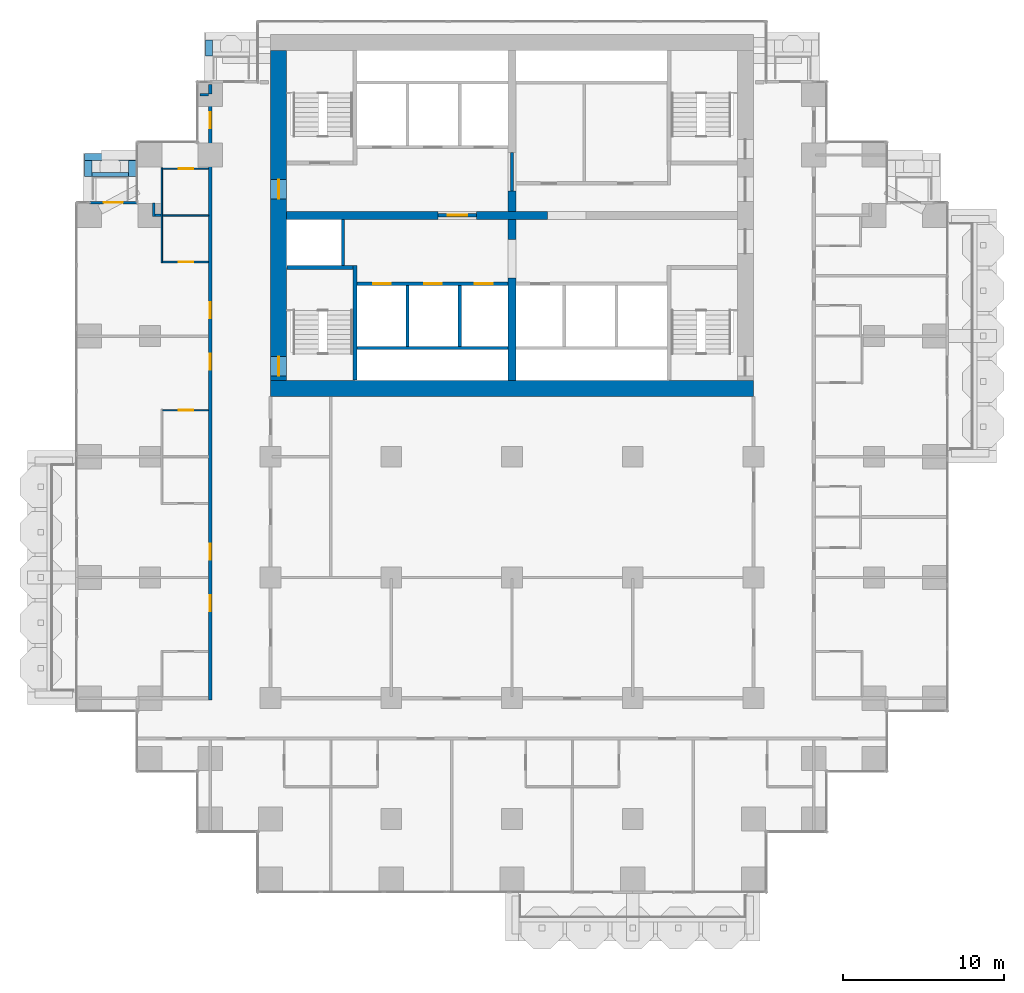
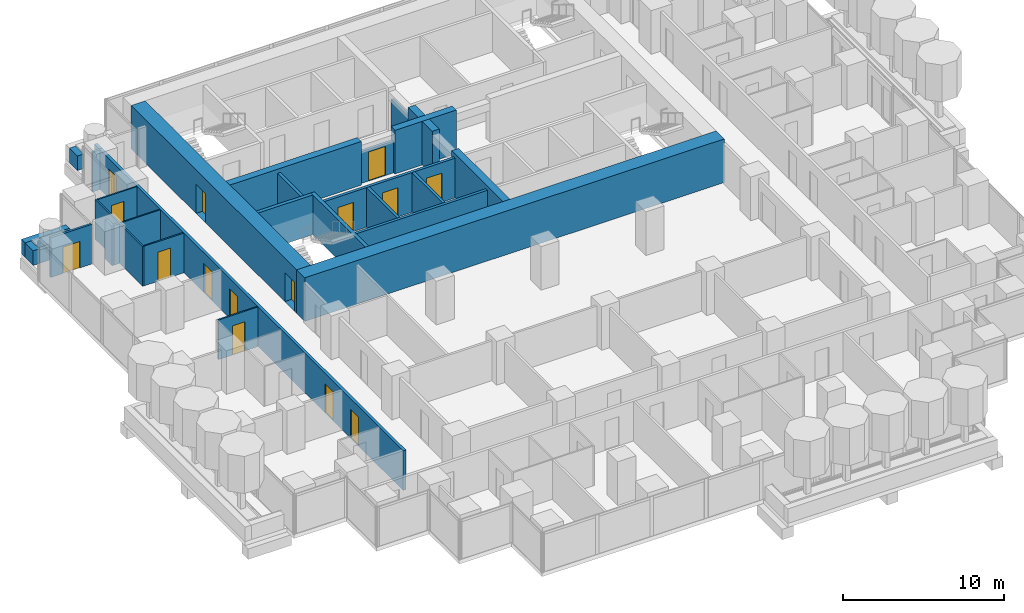
# One storey, part 13 of 19: 32 walls, 15 doors, 15 openings.
"""IFC4 building model written with IfcOpenShell, lengths in metres."""

import ifcopenshell
import ifcopenshell.guid

model = None  # the IFC model being written
_history = None  # IfcOwnerHistory: only IFC2X3 demands one
_inside = {}  # id of a spatial element -> (the spatial element, [elements in it])
_under = {}  # id of a project, library or spatial element -> (it, [spatial elements below it])
_declared = {}  # id of a project -> (the project, [libraries it declares])
_typed = {}  # id of a type object -> (the type object, [elements of that type])
_made_of = {}  # id of a material, layer set ... -> (it, [elements and type objects made of it])


def new_model(schema):
    """Start an empty IFC model of exactly this schema.

    Asked for "IFC4X3", IfcOpenShell would pick the latest addendum, in which some entities
    have other attributes; the version numbers below select the first issue.
    IFC2X3 requires an IfcOwnerHistory on every rooted entity: one is made here for all.
    """
    global model, _history
    if schema == "IFC4X3":
        model = ifcopenshell.file(schema_version=(4, 3, 0, 0))
    else:
        model = ifcopenshell.file(schema=schema)
    _inside.clear()
    _under.clear()
    _declared.clear()
    _typed.clear()
    _made_of.clear()
    _history = None
    if model.schema == "IFC2X3":
        org = make("IfcOrganization", Name="unknown")
        user = make(
            "IfcPersonAndOrganization",
            ThePerson=make("IfcPerson", FamilyName="unknown"),
            TheOrganization=org,
        )
        app = make(
            "IfcApplication",
            ApplicationDeveloper=org,
            Version="unknown",
            ApplicationFullName="unknown",
            ApplicationIdentifier="unknown",
        )
        _history = make(
            "IfcOwnerHistory",
            OwningUser=user,
            OwningApplication=app,
            ChangeAction="ADDED",
            CreationDate=0,
        )
    return model


def make(cls, **values):
    """One entity of the class cls with the attributes given. An attribute that is None is left unset."""
    return model.create_entity(
        cls, **{name: value for name, value in values.items() if value is not None}
    )


def rooted(cls, **values):
    """An entity with a GlobalId (a new one), such as an element, a storey or a relation."""
    return make(cls, GlobalId=ifcopenshell.guid.new(), OwnerHistory=_history, **values)


def si_unit(unit_type, name, prefix=None):
    """IfcSIUnit, for example si_unit("LENGTHUNIT", "METRE", prefix="MILLI")."""
    return make("IfcSIUnit", UnitType=unit_type, Prefix=prefix, Name=name)


def assignment(units):
    """IfcUnitAssignment: the units of a project."""
    return None if units is None else make("IfcUnitAssignment", Units=units)


def point(xyz):
    """IfcCartesianPoint."""
    return None if xyz is None else make("IfcCartesianPoint", Coordinates=xyz)


def direction(xyz):
    """IfcDirection."""
    return None if xyz is None else make("IfcDirection", DirectionRatios=xyz)


def frame(location, z_axis=None, x_axis=None):
    """IfcAxis2Placement3D, a coordinate frame: its origin and axes. An axis left out is left unset."""
    return make(
        "IfcAxis2Placement3D",
        Location=point(location),
        Axis=direction(z_axis),
        RefDirection=direction(x_axis),
    )


def frame_2d(location, x_axis=None):
    """IfcAxis2Placement2D, a coordinate frame in the plane: its origin and x axis."""
    return make(
        "IfcAxis2Placement2D", Location=point(location), RefDirection=direction(x_axis)
    )


def origin():
    """The frame at (0, 0, 0) with its axes left unset."""
    return frame((0.0, 0.0, 0.0))


def place(relative_to, where):
    """IfcLocalPlacement: puts the frame where relative to a parent placement (None: the world)."""
    return make(
        "IfcLocalPlacement", PlacementRelTo=relative_to, RelativePlacement=where
    )


def context(
    kind, dimensions, precision=None, world=None, true_north=None, identifier=None
):
    """IfcGeometricRepresentationContext, for example the 3D "Model" context."""
    return make(
        "IfcGeometricRepresentationContext",
        ContextIdentifier=identifier,
        ContextType=kind,
        CoordinateSpaceDimension=dimensions,
        Precision=precision,
        WorldCoordinateSystem=world,
        TrueNorth=true_north,
    )


def subcontext(parent, identifier, kind, view, scale=None):
    """IfcGeometricRepresentationSubContext, for example "Body" below "Model"."""
    return make(
        "IfcGeometricRepresentationSubContext",
        ContextIdentifier=identifier,
        ContextType=kind,
        ParentContext=parent,
        TargetScale=scale,
        TargetView=view,
    )


def project(units=None, contexts=None):
    """IfcProject with its units and contexts."""
    return rooted(
        "IfcProject",
        Name="project",
        RepresentationContexts=contexts,
        UnitsInContext=assignment(units),
    )


def spatial(cls, under=None, at=None, **own):
    """A site, building, storey or space (cls), placed at a placement, below another one or the project."""
    s = rooted(cls, ObjectPlacement=at, **own)
    if under is not None:
        _under.setdefault(under.id(), (under, []))[1].append(s)
    return s


def profile(cls, at=None, kind="AREA", **sizes):
    """A parametric profile (cls). Its sizes go by their IFC names, for example OverallWidth=200.0."""
    return make(cls, ProfileType=kind, Position=at, **sizes)


def rectangle(**sizes):
    """IfcRectangleProfileDef."""
    return profile("IfcRectangleProfileDef", **sizes)


def extrude(swept, where, along, depth):
    """IfcExtrudedAreaSolid: the profile swept, set in the frame where, extruded along a direction by depth."""
    return make(
        "IfcExtrudedAreaSolid",
        SweptArea=swept,
        Position=where,
        ExtrudedDirection=direction(along),
        Depth=depth,
    )


def shape(context_of_items, identifier, shape_type, items):
    """IfcShapeRepresentation: the items that make up one representation, for example the "Body"."""
    return make(
        "IfcShapeRepresentation",
        ContextOfItems=context_of_items,
        RepresentationIdentifier=identifier,
        RepresentationType=shape_type,
        Items=items,
    )


def material(Name=None, Category=None):
    """IfcMaterial."""
    return make("IfcMaterial", Name=Name, Category=Category)


def layer(
    of_material, thickness, ventilated=None, Name=None, Category=None, Priority=None
):
    """IfcMaterialLayer: one layer of a wall or slab, of a material (None: an air gap)."""
    return make(
        "IfcMaterialLayer",
        Material=of_material,
        LayerThickness=thickness,
        IsVentilated=ventilated,
        Name=Name,
        Category=Category,
        Priority=Priority,
    )


def layer_set(layers, Name=None):
    """IfcMaterialLayerSet."""
    return make("IfcMaterialLayerSet", MaterialLayers=layers, LayerSetName=Name)


def made_of(thing, what):
    """Note that an element or type object is made of a material, layer set ...; save() writes the relation."""
    if what is not None:
        _made_of.setdefault(what.id(), (what, []))[1].append(thing)
    return thing


def type_object(cls, material=None, **own):
    """A type object (cls), such as IfcWallType, which elements share."""
    return made_of(rooted(cls, **own), material)


def element(
    cls,
    number,
    at=None,
    inside=None,
    cuts=None,
    type_object=None,
    material=None,
    context=None,
    identifier="Body",
    shape_type=None,
    held_by="IfcProductDefinitionShape",
    body=None,
    shapes=None,
    **own,
):
    """One element of the class cls, such as IfcWall. Its Tag is "e" and its number.

    at: its placement. inside: the storey or other place that contains it. cuts: it is an
    opening in that element (IfcRelVoidsElement). A single representation is given by context,
    identifier, shape_type and body (its items); several are given by shapes. held_by: the class
    of the entity that holds the representations. save() writes the other relations.
    """
    e = rooted(cls, Tag="e%d" % number, ObjectPlacement=at, **own)
    if body is not None:
        shapes = [shape(context, identifier, shape_type, body)]
    if shapes is not None:
        e.Representation = make(held_by, Representations=shapes)
    if inside is not None:
        _inside.setdefault(inside.id(), (inside, []))[1].append(e)
    if cuts is not None:
        rooted(
            "IfcRelVoidsElement", RelatingBuildingElement=cuts, RelatedOpeningElement=e
        )
    if type_object is not None:
        _typed.setdefault(type_object.id(), (type_object, []))[1].append(e)
    return made_of(e, material)


def fill(opening, filler):
    """IfcRelFillsElement: the door or window that sits in an opening."""
    return rooted(
        "IfcRelFillsElement",
        RelatingOpeningElement=opening,
        RelatedBuildingElement=filler,
    )


def aggregate(whole, parts):
    """IfcRelAggregates: a whole, such as a stair, and the parts it consists of."""
    return rooted("IfcRelAggregates", RelatingObject=whole, RelatedObjects=parts)


def save(model, path):
    """Write the relations noted so far, then the file.

    IfcRelAggregates (storeys below a building ...), IfcRelContainedInSpatialStructure (elements
    in a storey), IfcRelDefinesByType, IfcRelAssociatesMaterial and IfcRelDeclares: one each for
    every whole, place, type object, material and project.
    """
    for whole, parts in _under.values():
        aggregate(whole, parts)
    for where, things in _inside.values():
        rooted(
            "IfcRelContainedInSpatialStructure",
            RelatedElements=things,
            RelatingStructure=where,
        )
    for kind, things in _typed.values():
        rooted("IfcRelDefinesByType", RelatedObjects=things, RelatingType=kind)
    for what, things in _made_of.values():
        rooted("IfcRelAssociatesMaterial", RelatedObjects=things, RelatingMaterial=what)
    for by, libraries in _declared.values():
        rooted("IfcRelDeclares", RelatingContext=by, RelatedDefinitions=libraries)
    model.write(path)


model = new_model("IFC4")

# Units and contexts
model_context = context("Model", 3, precision=1e-05, world=origin(), true_north=direction((0.0, 1.0)))
body_context = subcontext(model_context, "Body", "Model", "MODEL_VIEW")
ifc_project = project(units=[si_unit("LENGTHUNIT", "METRE"), si_unit("AREAUNIT", "SQUARE_METRE"), si_unit("VOLUMEUNIT", "CUBIC_METRE"), si_unit("PLANEANGLEUNIT", "RADIAN"), si_unit("MASSUNIT", "GRAM", prefix="KILO")], contexts=[model_context])

# Site, building, storey
site_placement = place(None, origin())
site = spatial("IfcSite", under=ifc_project, at=site_placement, CompositionType="ELEMENT")
building_placement = place(site_placement, origin())
building = spatial("IfcBuilding", under=site, at=building_placement, Name="Pilkhan Gate Tower", CompositionType="ELEMENT")
storey_placement = place(building_placement, frame((0.0, 0.0, 79.10009765625)))
storey = spatial("IfcBuildingStorey", under=building, at=storey_placement, Name="L18", CompositionType="ELEMENT", Elevation=79.10009765625)

# Walls
ifc_material_1 = material(Name="Concrete C40/50", Category="concrete")
ifc_layer_1 = layer(ifc_material_1, 0.25)
ifc_layer_set_1 = layer_set([ifc_layer_1], Name="Balcony planter BP250")
wall_type_1 = type_object("IfcWallType", Name="Balcony planter BP250", PredefinedType="USERDEFINED", material=ifc_layer_set_1)
wall_1_placement = place(storey_placement, frame((48.89990234375, 85.02490234375, 0.0), z_axis=(0.0, 0.0, 1.0), x_axis=(1.0, 0.0, 0.0)))
element("IfcWall", 1, at=wall_1_placement, inside=storey, type_object=wall_type_1, Name="Balcony planter L18 N", ObjectType="BALCONY PLANTER", PredefinedType="USERDEFINED", context=body_context, shape_type="SweptSolid", body=[
    extrude(rectangle(XDim=2.280029296875, YDim=0.25, at=frame_2d((1.14013671875, 0.0))), origin(), (0.0, 0.0, 1.0), 1.0),
])
ifc_material_2 = material(Name="Board-marked Concrete C40/50", Category="concrete")
ifc_layer_2 = layer(ifc_material_2, 0.449951171875)
ifc_layer_set_2 = layer_set([ifc_layer_2], Name="Balcony planter lip BL450")
wall_type_2 = type_object("IfcWallType", Name="Balcony planter lip BL450", PredefinedType="USERDEFINED", material=ifc_layer_set_2)
wall_2_placement = place(storey_placement, frame((56.175048828125, 92.39990234375, 0.0), z_axis=(0.0, 0.0, 1.0), x_axis=(0.0, 1.0, 0.0)))
element("IfcWall", 2, at=wall_2_placement, inside=storey, type_object=wall_type_2, Name="Balcony planter L18 N", ObjectType="BALCONY PLANTER", PredefinedType="USERDEFINED", context=body_context, shape_type="SweptSolid", body=[
    extrude(rectangle(XDim=1.0, YDim=0.449951171875, at=frame_2d((0.5, 0.0))), origin(), (0.0, 0.0, 1.0), 1.099853515625),
])
wall_3_placement = place(storey_placement, frame((48.449951171875, 86.125, 0.0), z_axis=(0.0, 0.0, 1.0), x_axis=(1.0, 0.0, 0.0)))
element("IfcWall", 3, at=wall_3_placement, inside=storey, type_object=wall_type_2, Name="Balcony planter L18 N", ObjectType="BALCONY PLANTER", PredefinedType="USERDEFINED", context=body_context, shape_type="SweptSolid", body=[
    extrude(rectangle(XDim=3.179931640625, YDim=0.449951171875, at=frame_2d((1.58984375, 0.0))), origin(), (0.0, 0.0, 1.0), 1.099853515625),
])
for number, where, z_axis, x_axis, name in (
    (4, (48.675048828125, 84.89990234375, 0.0), (0.0, 0.0, 1.0), (0.0, 1.0, 0.0), "Balcony planter L18 N"),
    (5, (51.405029296875, 84.89990234375, 0.0), (0.0, 0.0, 1.0), (0.0, 1.0, 0.0), "Balcony planter L18 N"),
):
    element("IfcWall", number, at=place(storey_placement, frame(where, z_axis=z_axis, x_axis=x_axis)), inside=storey, type_object=wall_type_2, Name=name, ObjectType="BALCONY PLANTER", PredefinedType="USERDEFINED", context=body_context, shape_type="SweptSolid", body=[
        extrude(rectangle(XDim=1.0, YDim=0.449951171875, at=frame_2d((0.5, 0.0))), origin(), (0.0, 0.0, 1.0), 1.099853515625),
    ])
ifc_material_3 = material(Name="Concrete C70/85", Category="concrete")
ifc_layer_3 = layer(ifc_material_3, 1.0)
ifc_layer_set_3 = layer_set([ifc_layer_3], Name="Core wall CW1000 C70/85")
wall_type_3 = type_object("IfcWallType", Name="Core wall CW1000 C70/85", PredefinedType="SHEAR", material=ifc_layer_set_3)
wall_4_placement = place(storey_placement, frame((60.0, 71.75, 0.0), z_axis=(0.0, 0.0, 1.0), x_axis=(1.0, 0.0, 0.0)))
element("IfcWall", 6, at=wall_4_placement, inside=storey, type_object=wall_type_3, Name="Core wall S L18", PredefinedType="SHEAR", context=body_context, shape_type="SweptSolid", body=[
    extrude(rectangle(XDim=30.0, YDim=1.0, at=frame_2d((15.0, 0.0))), origin(), (0.0, 0.0, 1.0), 3.2998046875),
])

# Wall, openings, doors
wall_5_placement = place(storey_placement, frame((60.5, 92.75, 0.0), z_axis=(0.0, 0.0, 1.0), x_axis=(0.0, -1.0, 0.0)))
wall_5 = element("IfcWall", 7, at=wall_5_placement, inside=storey, type_object=wall_type_3, Name="Core wall W L18", PredefinedType="SHEAR", context=body_context, shape_type="SweptSolid", body=[
    extrude(rectangle(XDim=20.5, YDim=1.0, at=frame_2d((10.25, 0.0))), origin(), (0.0, 0.0, 1.0), 3.2998046875),
])
opening_1_placement = place(wall_5_placement, frame((19.02490234375, 0.0, 0.0)))
opening_1 = element("IfcOpeningElement", 8, at=opening_1_placement, cuts=wall_5, Name="Opening L18-04", PredefinedType="OPENING", context=body_context, shape_type="SweptSolid", body=[
    extrude(rectangle(XDim=1.199951171875, YDim=2.199951171875, at=frame_2d((0.60009765625, 1.10009765625))), frame((0.0, 0.510009765625, 0.0), z_axis=(0.0, -1.0, 0.0), x_axis=(1.0, 0.0, 0.0)), (0.0, 0.0, 1.0), 1.02001953125),
])
opening_2_placement = place(wall_5_placement, frame((8.02490234375, 0.0, 0.0)))
opening_2 = element("IfcOpeningElement", 9, at=opening_2_placement, cuts=wall_5, Name="Opening L18-39", PredefinedType="OPENING", context=body_context, shape_type="SweptSolid", body=[
    extrude(rectangle(XDim=1.199951171875, YDim=2.199951171875, at=frame_2d((0.60009765625, 1.10009765625))), frame((0.0, 0.510009765625, 0.0), z_axis=(0.0, -1.0, 0.0), x_axis=(1.0, 0.0, 0.0)), (0.0, 0.0, 1.0), 1.02001953125),
])
ifc_material_4 = material(Name="Steel door, 120 minute fire resisting, self-closing", Category="steel")
door_type_1 = type_object("IfcDoorType", Name="Firefighting lobby door D10 1200x2200", OperationType="SINGLE_SWING_LEFT", PredefinedType="DOOR", material=ifc_material_4)
door_1_placement = place(opening_2_placement, origin())
door_1 = element("IfcDoor", 10, at=door_1_placement, inside=storey, type_object=door_type_1, Name="Core door", OperationType="SINGLE_SWING_RIGHT", OverallHeight=2.199951171875, OverallWidth=1.199951171875, PredefinedType="DOOR", context=body_context, shape_type="SweptSolid", body=[
    extrude(rectangle(XDim=1.199951171875, YDim=2.199951171875, at=frame_2d((0.60009765625, 1.10009765625))), frame((0.0, 0.02490234375, 0.0), z_axis=(0.0, -1.0, 0.0), x_axis=(1.0, 0.0, 0.0)), (0.0, 0.0, 1.0), 0.050048828125),
])
fill(opening_2, door_1)
ifc_material_5 = material(Name="Steel door, 120 minute fire resisting, panic bar", Category="steel")
door_type_2 = type_object("IfcDoorType", Name="Stair door D11 1200x2200", OperationType="SINGLE_SWING_LEFT", PredefinedType="DOOR", material=ifc_material_5)
door_2_placement = place(opening_1_placement, origin())
door_2 = element("IfcDoor", 11, at=door_2_placement, inside=storey, type_object=door_type_2, Name="Stair ST2 door", OperationType="SINGLE_SWING_RIGHT", OverallHeight=2.199951171875, OverallWidth=1.199951171875, PredefinedType="DOOR", context=body_context, shape_type="SweptSolid", body=[
    extrude(rectangle(XDim=1.199951171875, YDim=2.199951171875, at=frame_2d((0.60009765625, 1.10009765625))), frame((0.0, 0.02490234375, 0.0), z_axis=(0.0, -1.0, 0.0), x_axis=(1.0, 0.0, 0.0)), (0.0, 0.0, 1.0), 0.050048828125),
])
fill(opening_1, door_2)

ifc_material_6 = material(Name="Dense blockwork", Category="masonry")
ifc_layer_4 = layer(ifc_material_6, 0.199951171875)
ifc_layer_set_4 = layer_set([ifc_layer_4], Name="Corridor wall FW200")
wall_type_4 = type_object("IfcWallType", Name="Corridor wall FW200", PredefinedType="PARTITIONING", material=ifc_layer_set_4)
wall_6_placement = place(storey_placement, frame((56.25, 52.39990234375, 0.0), z_axis=(0.0, 0.0, 1.0), x_axis=(0.0, 1.0, 0.0)))
wall_6 = element("IfcWall", 12, at=wall_6_placement, inside=storey, type_object=wall_type_4, Name="Partition L18", PredefinedType="PARTITIONING", context=body_context, shape_type="SweptSolid", body=[
    extrude(rectangle(XDim=37.675048828125, YDim=0.199951171875, at=frame_2d((18.83740234375, 0.0))), origin(), (0.0, 0.0, 1.0), 3.0),
])
opening_3_placement = place(wall_6_placement, frame((5.5, 0.0, 0.0)))
opening_3 = element("IfcOpeningElement", 13, at=opening_3_placement, cuts=wall_6, Name="Opening L18-16", PredefinedType="OPENING", context=body_context, shape_type="SweptSolid", body=[
    extrude(rectangle(XDim=1.0, YDim=2.199951171875, at=frame_2d((0.5, 1.10009765625))), frame((0.0, 0.10986328125, 0.0), z_axis=(0.0, -1.0, 0.0), x_axis=(1.0, 0.0, 0.0)), (0.0, 0.0, 1.0), 0.219970703125),
])
opening_4_placement = place(wall_6_placement, frame((8.699951171875, 0.0, 0.0)))
opening_4 = element("IfcOpeningElement", 14, at=opening_4_placement, cuts=wall_6, Name="Opening L18-18", PredefinedType="OPENING", context=body_context, shape_type="SweptSolid", body=[
    extrude(rectangle(XDim=1.0, YDim=2.199951171875, at=frame_2d((0.5, 1.10009765625))), frame((0.0, 0.10986328125, 0.0), z_axis=(0.0, -1.0, 0.0), x_axis=(1.0, 0.0, 0.0)), (0.0, 0.0, 1.0), 0.219970703125),
])
opening_5_placement = place(wall_6_placement, frame((20.5, 0.0, 0.0)))
opening_5 = element("IfcOpeningElement", 15, at=opening_5_placement, cuts=wall_6, Name="Opening L18-20", PredefinedType="OPENING", context=body_context, shape_type="SweptSolid", body=[
    extrude(rectangle(XDim=1.0, YDim=2.199951171875, at=frame_2d((0.5, 1.10009765625))), frame((0.0, 0.10986328125, 0.0), z_axis=(0.0, -1.0, 0.0), x_axis=(1.0, 0.0, 0.0)), (0.0, 0.0, 1.0), 0.219970703125),
])
opening_6_placement = place(wall_6_placement, frame((23.699951171875, 0.0, 0.0)))
opening_6 = element("IfcOpeningElement", 16, at=opening_6_placement, cuts=wall_6, Name="Opening L18-22", PredefinedType="OPENING", context=body_context, shape_type="SweptSolid", body=[
    extrude(rectangle(XDim=1.0, YDim=2.199951171875, at=frame_2d((0.5, 1.10009765625))), frame((0.0, 0.10986328125, 0.0), z_axis=(0.0, -1.0, 0.0), x_axis=(1.0, 0.0, 0.0)), (0.0, 0.0, 1.0), 0.219970703125),
])
opening_7_placement = place(wall_6_placement, frame((35.5, 0.0, 0.0)))
opening_7 = element("IfcOpeningElement", 17, at=opening_7_placement, cuts=wall_6, Name="Opening L18-24", PredefinedType="OPENING", context=body_context, shape_type="SweptSolid", body=[
    extrude(rectangle(XDim=1.0, YDim=2.199951171875, at=frame_2d((0.5, 1.10009765625))), frame((0.0, 0.10986328125, 0.0), z_axis=(0.0, -1.0, 0.0), x_axis=(1.0, 0.0, 0.0)), (0.0, 0.0, 1.0), 0.219970703125),
])
ifc_material_7 = material(Name="Timber flush door, 30 minute fire resisting", Category="wood")
door_type_3 = type_object("IfcDoorType", Name="Guest room door D01 1000x2200", OperationType="SINGLE_SWING_LEFT", PredefinedType="DOOR", material=ifc_material_7)
door_3_placement = place(opening_3_placement, origin())
door_3 = element("IfcDoor", 18, at=door_3_placement, inside=storey, type_object=door_type_3, Name="Guest room door", OperationType="SINGLE_SWING_RIGHT", OverallHeight=2.199951171875, OverallWidth=1.0, PredefinedType="DOOR", context=body_context, shape_type="SweptSolid", body=[
    extrude(rectangle(XDim=1.0, YDim=2.199951171875, at=frame_2d((0.5, 1.10009765625))), frame((0.0, 0.02490234375, 0.0), z_axis=(0.0, -1.0, 0.0), x_axis=(1.0, 0.0, 0.0)), (0.0, 0.0, 1.0), 0.050048828125),
])
fill(opening_3, door_3)
door_4_placement = place(opening_4_placement, origin())
door_4 = element("IfcDoor", 19, at=door_4_placement, inside=storey, type_object=door_type_3, Name="Guest room door", OperationType="SINGLE_SWING_LEFT", OverallHeight=2.199951171875, OverallWidth=1.0, PredefinedType="DOOR", context=body_context, shape_type="SweptSolid", body=[
    extrude(rectangle(XDim=1.0, YDim=2.199951171875, at=frame_2d((0.5, 1.10009765625))), frame((0.0, 0.02490234375, 0.0), z_axis=(0.0, -1.0, 0.0), x_axis=(1.0, 0.0, 0.0)), (0.0, 0.0, 1.0), 0.050048828125),
])
fill(opening_4, door_4)
door_5_placement = place(opening_5_placement, origin())
door_5 = element("IfcDoor", 20, at=door_5_placement, inside=storey, type_object=door_type_3, Name="Guest room door", OperationType="SINGLE_SWING_RIGHT", OverallHeight=2.199951171875, OverallWidth=1.0, PredefinedType="DOOR", context=body_context, shape_type="SweptSolid", body=[
    extrude(rectangle(XDim=1.0, YDim=2.199951171875, at=frame_2d((0.5, 1.10009765625))), frame((0.0, 0.02490234375, 0.0), z_axis=(0.0, -1.0, 0.0), x_axis=(1.0, 0.0, 0.0)), (0.0, 0.0, 1.0), 0.050048828125),
])
fill(opening_5, door_5)
door_6_placement = place(opening_6_placement, origin())
door_6 = element("IfcDoor", 21, at=door_6_placement, inside=storey, type_object=door_type_3, Name="Guest room door", OperationType="SINGLE_SWING_LEFT", OverallHeight=2.199951171875, OverallWidth=1.0, PredefinedType="DOOR", context=body_context, shape_type="SweptSolid", body=[
    extrude(rectangle(XDim=1.0, YDim=2.199951171875, at=frame_2d((0.5, 1.10009765625))), frame((0.0, 0.02490234375, 0.0), z_axis=(0.0, -1.0, 0.0), x_axis=(1.0, 0.0, 0.0)), (0.0, 0.0, 1.0), 0.050048828125),
])
fill(opening_6, door_6)
door_7_placement = place(opening_7_placement, origin())
door_7 = element("IfcDoor", 22, at=door_7_placement, inside=storey, type_object=door_type_3, Name="Guest room door", OperationType="SINGLE_SWING_LEFT", OverallHeight=2.199951171875, OverallWidth=1.0, PredefinedType="DOOR", context=body_context, shape_type="SweptSolid", body=[
    extrude(rectangle(XDim=1.0, YDim=2.199951171875, at=frame_2d((0.5, 1.10009765625))), frame((0.0, 0.02490234375, 0.0), z_axis=(0.0, -1.0, 0.0), x_axis=(1.0, 0.0, 0.0)), (0.0, 0.0, 1.0), 0.050048828125),
])
fill(opening_7, door_7)

# Wall
wall_7_placement = place(storey_placement, frame((56.25, 90.030029296875, 0.0), z_axis=(0.0, 0.0, 1.0), x_axis=(0.0, 1.0, 0.0)))
element("IfcWall", 23, at=wall_7_placement, inside=storey, type_object=wall_type_4, Name="Partition L18", PredefinedType="PARTITIONING", context=body_context, shape_type="SweptSolid", body=[
    extrude(rectangle(XDim=0.614990234375, YDim=0.199951171875, at=frame_2d((0.3076171875, 0.0))), origin(), (0.0, 0.0, 1.0), 3.0),
])

# Wall, opening, door
ifc_material_8 = material(Name="Pale anodised aluminium, clear laminated glazing", Category="aluminium")
ifc_layer_5 = layer(ifc_material_8, 0.14990234375)
ifc_layer_set_5 = layer_set([ifc_layer_5], Name="Facade infill wall IW150")
wall_type_5 = type_object("IfcWallType", Name="Facade infill wall IW150", PredefinedType="SOLIDWALL", material=ifc_layer_set_5)
wall_8_placement = place(storey_placement, frame((48.75, 83.294921875, 0.0), z_axis=(0.0, 0.0, 1.0), x_axis=(1.0, 0.0, 0.0)))
wall_8 = element("IfcWall", 24, at=wall_8_placement, inside=storey, type_object=wall_type_5, Name="Infill wall L18 N", PredefinedType="SOLIDWALL", context=body_context, shape_type="SweptSolid", body=[
    extrude(rectangle(XDim=2.955078125, YDim=0.14990234375, at=frame_2d((1.4775390625, 0.0))), origin(), (0.0, 0.0, 1.0), 3.0),
])
opening_8_placement = place(wall_8_placement, frame((0.87744140625, 0.0, 0.0)))
opening_8 = element("IfcOpeningElement", 25, at=opening_8_placement, cuts=wall_8, Name="Opening D1L", PredefinedType="OPENING", context=body_context, shape_type="SweptSolid", body=[
    extrude(rectangle(XDim=1.199951171875, YDim=2.0, at=frame_2d((0.60009765625, 1.0))), frame((0.0, 0.0849609375, 0.0), z_axis=(0.0, -1.0, 0.0), x_axis=(1.0, 0.0, 0.0)), (0.0, 0.0, 1.0), 0.169921875),
])
ifc_material_9 = material(Name="Pale anodised aluminium, clear glazing", Category="aluminium")
door_type_4 = type_object("IfcDoorType", Name="Balcony door D1L 1200x2000", OperationType="SINGLE_SWING_LEFT", PredefinedType="DOOR", material=ifc_material_9)
door_8_placement = place(opening_8_placement, origin())
door_8 = element("IfcDoor", 26, at=door_8_placement, inside=storey, type_object=door_type_4, Name="Balcony door L18", OperationType="SINGLE_SWING_LEFT", OverallHeight=2.0, OverallWidth=1.199951171875, PredefinedType="DOOR", context=body_context, shape_type="SweptSolid", body=[
    extrude(rectangle(XDim=1.199951171875, YDim=2.0, at=frame_2d((0.60009765625, 1.0))), frame((0.0, 0.02490234375, 0.0), z_axis=(0.0, -1.0, 0.0), x_axis=(1.0, 0.0, 0.0)), (0.0, 0.0, 1.0), 0.050048828125),
])
fill(opening_8, door_8)

ifc_layer_6 = layer(ifc_material_6, 0.199951171875)
ifc_layer_set_6 = layer_set([ifc_layer_6], Name="Lobby wall LW200")
wall_type_6 = type_object("IfcWallType", Name="Lobby wall LW200", PredefinedType="PARTITIONING", material=ifc_layer_set_6)
wall_9_placement = place(storey_placement, frame((70.409912109375, 82.5, 0.0), z_axis=(0.0, 0.0, 1.0), x_axis=(1.0, 0.0, 0.0)))
wall_9 = element("IfcWall", 27, at=wall_9_placement, inside=storey, type_object=wall_type_6, Name="Partition L18", PredefinedType="PARTITIONING", context=body_context, shape_type="SweptSolid", body=[
    extrude(rectangle(XDim=2.380126953125, YDim=0.199951171875, at=frame_2d((1.18994140625, 0.0))), origin(), (0.0, 0.0, 1.0), 2.39990234375),
])
opening_9_placement = place(wall_9_placement, frame((0.60009765625, 0.0, 0.0)))
opening_9 = element("IfcOpeningElement", 28, at=opening_9_placement, cuts=wall_9, Name="Opening L18-01", PredefinedType="OPENING", context=body_context, shape_type="SweptSolid", body=[
    extrude(rectangle(XDim=1.199951171875, YDim=2.199951171875, at=frame_2d((0.60009765625, 1.10009765625))), frame((0.0, 0.10986328125, 0.0), z_axis=(0.0, -1.0, 0.0), x_axis=(1.0, 0.0, 0.0)), (0.0, 0.0, 1.0), 0.219970703125),
])
door_9_placement = place(opening_9_placement, origin())
door_9 = element("IfcDoor", 29, at=door_9_placement, inside=storey, type_object=door_type_1, Name="Firefighting lobby door", OperationType="SINGLE_SWING_RIGHT", OverallHeight=2.199951171875, OverallWidth=1.199951171875, PredefinedType="DOOR", context=body_context, shape_type="SweptSolid", body=[
    extrude(rectangle(XDim=1.199951171875, YDim=2.199951171875, at=frame_2d((0.60009765625, 1.10009765625))), frame((0.0, 0.02490234375, 0.0), z_axis=(0.0, -1.0, 0.0), x_axis=(1.0, 0.0, 0.0)), (0.0, 0.0, 1.0), 0.050048828125),
])
fill(opening_9, door_9)

# Walls
wall_10_placement = place(storey_placement, frame((75.0, 84.010009765625, 0.0), z_axis=(0.0, 0.0, 1.0), x_axis=(0.0, 1.0, 0.0)))
element("IfcWall", 30, at=wall_10_placement, inside=storey, type_object=wall_type_6, Name="Partition L18", PredefinedType="PARTITIONING", context=body_context, shape_type="SweptSolid", body=[
    extrude(rectangle(XDim=2.3798828125, YDim=0.199951171875, at=frame_2d((1.18994140625, 0.0))), origin(), (0.0, 0.0, 1.0), 2.39990234375),
])
ifc_material_10 = material(Name="Blockwork partition, plastered both sides", Category="masonry")
ifc_layer_7 = layer(ifc_material_10, 0.14990234375)
ifc_layer_set_7 = layer_set([ifc_layer_7], Name="Partition PW150")
wall_type_7 = type_object("IfcWallType", Name="Partition PW150", PredefinedType="PARTITIONING", material=ifc_layer_set_7)
wall_11_placement = place(storey_placement, frame((52.81005859375, 82.5, 0.0), z_axis=(0.0, 0.0, 1.0), x_axis=(1.0, 0.0, 0.0)))
element("IfcWall", 31, at=wall_11_placement, inside=storey, type_object=wall_type_7, Name="Partition L18", PredefinedType="PARTITIONING", context=body_context, shape_type="SweptSolid", body=[
    extrude(rectangle(XDim=0.389892578125, YDim=0.14990234375, at=frame_2d((0.19482421875, 0.0))), origin(), (0.0, 0.0, 1.0), 3.0),
])
wall_12_placement = place(storey_placement, frame((55.60498046875, 90.0, 0.0), z_axis=(0.0, 0.0, 1.0), x_axis=(1.0, 0.0, 0.0)))
element("IfcWall", 32, at=wall_12_placement, inside=storey, type_object=wall_type_7, Name="Partition L18", PredefinedType="PARTITIONING", context=body_context, shape_type="SweptSolid", body=[
    extrude(rectangle(XDim=0.544921875, YDim=0.14990234375, at=frame_2d((0.2724609375, 0.0))), origin(), (0.0, 0.0, 1.0), 3.0),
])
wall_13_placement = place(storey_placement, frame((52.735107421875, 82.425048828125, 0.0), z_axis=(0.0, 0.0, 1.0), x_axis=(0.0, 1.0, 0.0)))
element("IfcWall", 33, at=wall_13_placement, inside=storey, type_object=wall_type_7, Name="Partition L18", PredefinedType="PARTITIONING", context=body_context, shape_type="SweptSolid", body=[
    extrude(rectangle(XDim=0.83984375, YDim=0.14990234375, at=frame_2d((0.419921875, 0.0))), origin(), (0.0, 0.0, 1.0), 3.0),
])
ifc_material_11 = material(Name="Reinforced blockwork shaft wall, 120 minute fire resisting", Category="masonry")
ifc_layer_8 = layer(ifc_material_11, 0.199951171875)
ifc_layer_set_8 = layer_set([ifc_layer_8], Name="Shaft wall SW200")
wall_type_8 = type_object("IfcWallType", Name="Shaft wall SW200", PredefinedType="PARTITIONING", material=ifc_layer_set_8)
wall_14_placement = place(storey_placement, frame((65.375, 74.25, 0.0), z_axis=(0.0, 0.0, 1.0), x_axis=(1.0, 0.0, 0.0)))
element("IfcWall", 34, at=wall_14_placement, inside=storey, type_object=wall_type_8, Name="Partition L18", PredefinedType="PARTITIONING", context=body_context, shape_type="SweptSolid", body=[
    extrude(rectangle(XDim=9.364990234375, YDim=0.199951171875, at=frame_2d((4.6826171875, 0.0))), origin(), (0.0, 0.0, 1.0), 3.0),
])

# Wall, openings, doors
wall_15_placement = place(storey_placement, frame((65.375, 78.25, 0.0), z_axis=(0.0, 0.0, 1.0), x_axis=(1.0, 0.0, 0.0)))
wall_15 = element("IfcWall", 35, at=wall_15_placement, inside=storey, type_object=wall_type_8, Name="Partition L18", PredefinedType="PARTITIONING", context=body_context, shape_type="SweptSolid", body=[
    extrude(rectangle(XDim=9.364990234375, YDim=0.199951171875, at=frame_2d((4.6826171875, 0.0))), origin(), (0.0, 0.0, 1.0), 3.0),
])
opening_10_placement = place(wall_15_placement, frame((1.0, 0.0, 0.0)))
opening_10 = element("IfcOpeningElement", 36, at=opening_10_placement, cuts=wall_15, Name="Opening LD", PredefinedType="OPENING", context=body_context, shape_type="SweptSolid", body=[
    extrude(rectangle(XDim=1.10009765625, YDim=2.199951171875, at=frame_2d((0.550048828125, 1.10009765625))), frame((0.0, 0.10986328125, 0.0), z_axis=(0.0, -1.0, 0.0), x_axis=(1.0, 0.0, 0.0)), (0.0, 0.0, 1.0), 0.219970703125),
])
opening_11_placement = place(wall_15_placement, frame((4.175048828125, 0.0, 0.0)))
opening_11 = element("IfcOpeningElement", 37, at=opening_11_placement, cuts=wall_15, Name="Opening LD", PredefinedType="OPENING", context=body_context, shape_type="SweptSolid", body=[
    extrude(rectangle(XDim=1.10009765625, YDim=2.199951171875, at=frame_2d((0.550048828125, 1.10009765625))), frame((0.0, 0.10986328125, 0.0), z_axis=(0.0, -1.0, 0.0), x_axis=(1.0, 0.0, 0.0)), (0.0, 0.0, 1.0), 0.219970703125),
])
opening_12_placement = place(wall_15_placement, frame((7.324951171875, 0.0, 0.0)))
opening_12 = element("IfcOpeningElement", 38, at=opening_12_placement, cuts=wall_15, Name="Opening LD", PredefinedType="OPENING", context=body_context, shape_type="SweptSolid", body=[
    extrude(rectangle(XDim=1.10009765625, YDim=2.199951171875, at=frame_2d((0.550048828125, 1.10009765625))), frame((0.0, 0.10986328125, 0.0), z_axis=(0.0, -1.0, 0.0), x_axis=(1.0, 0.0, 0.0)), (0.0, 0.0, 1.0), 0.219970703125),
])
ifc_material_12 = material(Name="Stainless steel centre-opening landing door, 120 minute fire resisting", Category="steel")
door_type_5 = type_object("IfcDoorType", Name="Lift landing door LD 1100x2200", OperationType="DOUBLE_DOOR_SLIDING", PredefinedType="DOOR", material=ifc_material_12)
door_10_placement = place(opening_10_placement, origin())
door_10 = element("IfcDoor", 39, at=door_10_placement, inside=storey, type_object=door_type_5, Name="Landing door LR1", OperationType="DOUBLE_DOOR_SLIDING", OverallHeight=2.199951171875, OverallWidth=1.10009765625, PredefinedType="DOOR", context=body_context, shape_type="SweptSolid", body=[
    extrude(rectangle(XDim=1.10009765625, YDim=2.199951171875, at=frame_2d((0.550048828125, 1.10009765625))), frame((0.0, 0.02490234375, 0.0), z_axis=(0.0, -1.0, 0.0), x_axis=(1.0, 0.0, 0.0)), (0.0, 0.0, 1.0), 0.050048828125),
])
fill(opening_10, door_10)
door_11_placement = place(opening_11_placement, origin())
door_11 = element("IfcDoor", 40, at=door_11_placement, inside=storey, type_object=door_type_5, Name="Landing door LR2", OperationType="DOUBLE_DOOR_SLIDING", OverallHeight=2.199951171875, OverallWidth=1.10009765625, PredefinedType="DOOR", context=body_context, shape_type="SweptSolid", body=[
    extrude(rectangle(XDim=1.10009765625, YDim=2.199951171875, at=frame_2d((0.550048828125, 1.10009765625))), frame((0.0, 0.02490234375, 0.0), z_axis=(0.0, -1.0, 0.0), x_axis=(1.0, 0.0, 0.0)), (0.0, 0.0, 1.0), 0.050048828125),
])
fill(opening_11, door_11)
door_12_placement = place(opening_12_placement, origin())
door_12 = element("IfcDoor", 41, at=door_12_placement, inside=storey, type_object=door_type_5, Name="Landing door LR3", OperationType="DOUBLE_DOOR_SLIDING", OverallHeight=2.199951171875, OverallWidth=1.10009765625, PredefinedType="DOOR", context=body_context, shape_type="SweptSolid", body=[
    extrude(rectangle(XDim=1.10009765625, YDim=2.199951171875, at=frame_2d((0.550048828125, 1.10009765625))), frame((0.0, 0.02490234375, 0.0), z_axis=(0.0, -1.0, 0.0), x_axis=(1.0, 0.0, 0.0)), (0.0, 0.0, 1.0), 0.050048828125),
])
fill(opening_12, door_12)

# Walls
wall_16_placement = place(storey_placement, frame((64.5, 79.375, 0.0), z_axis=(0.0, 0.0, 1.0), x_axis=(0.0, 1.0, 0.0)))
element("IfcWall", 42, at=wall_16_placement, inside=storey, type_object=wall_type_8, Name="Partition L18", PredefinedType="PARTITIONING", context=body_context, shape_type="SweptSolid", body=[
    extrude(rectangle(XDim=2.864990234375, YDim=0.199951171875, at=frame_2d((1.4326171875, 0.0))), origin(), (0.0, 0.0, 1.0), 3.0),
])
for number, where, z_axis, x_axis, name in (
    (43, (68.5, 74.35009765625, 0.0), (0.0, 0.0, 1.0), (0.0, 1.0, 0.0), "Partition L18"),
    (44, (71.75, 74.35009765625, 0.0), (0.0, 0.0, 1.0), (0.0, 1.0, 0.0), "Partition L18"),
):
    element("IfcWall", number, at=place(storey_placement, frame(where, z_axis=z_axis, x_axis=x_axis)), inside=storey, type_object=wall_type_8, Name=name, PredefinedType="PARTITIONING", context=body_context, shape_type="SweptSolid", body=[
        extrude(rectangle(XDim=3.7998046875, YDim=0.199951171875, at=frame_2d((1.89990234375, 0.0))), origin(), (0.0, 0.0, 1.0), 3.0),
    ])
ifc_layer_9 = layer(ifc_material_3, 0.5)
ifc_layer_set_9 = layer_set([ifc_layer_9], Name="Spine wall SW500 C70/85")
wall_type_9 = type_object("IfcWallType", Name="Spine wall SW500 C70/85", PredefinedType="SHEAR", material=ifc_layer_set_9)
wall_17_placement = place(storey_placement, frame((61.0, 82.5, 0.0), z_axis=(0.0, 0.0, 1.0), x_axis=(1.0, 0.0, 0.0)))
element("IfcWall", 45, at=wall_17_placement, inside=storey, type_object=wall_type_9, Name="Spine wall SP-EW1 L18", PredefinedType="SHEAR", context=body_context, shape_type="SweptSolid", body=[
    extrude(rectangle(XDim=9.39990234375, YDim=0.5, at=frame_2d((4.699951171875, 0.0))), origin(), (0.0, 0.0, 1.0), 3.2998046875),
])
wall_18_placement = place(storey_placement, frame((72.800048828125, 82.5, 0.0), z_axis=(0.0, 0.0, 1.0), x_axis=(1.0, 0.0, 0.0)))
element("IfcWall", 46, at=wall_18_placement, inside=storey, type_object=wall_type_9, Name="Spine wall SP-EW2 L18", PredefinedType="SHEAR", context=body_context, shape_type="SweptSolid", body=[
    extrude(rectangle(XDim=4.39990234375, YDim=0.5, at=frame_2d((2.199951171875, 0.0))), origin(), (0.0, 0.0, 1.0), 3.2998046875),
])
wall_19_placement = place(storey_placement, frame((75.0, 72.25, 0.0), z_axis=(0.0, 0.0, 1.0), x_axis=(0.0, 1.0, 0.0)))
element("IfcWall", 47, at=wall_19_placement, inside=storey, type_object=wall_type_9, Name="Spine wall SP-NS-S1 L18", PredefinedType="SHEAR", context=body_context, shape_type="SweptSolid", body=[
    extrude(rectangle(XDim=6.35009765625, YDim=0.5, at=frame_2d((3.175048828125, 0.0))), origin(), (0.0, 0.0, 1.0), 3.2998046875),
])
for number, where, z_axis, x_axis, name in (
    (48, (75.0, 81.0, 0.0), (0.0, 0.0, 1.0), (0.0, 1.0, 0.0), "Spine wall SP-NS-S2 L18"),
    (49, (75.0, 82.75, 0.0), (0.0, 0.0, 1.0), (0.0, 1.0, 0.0), "Spine wall SP-NS-N1 L18"),
):
    element("IfcWall", number, at=place(storey_placement, frame(where, z_axis=z_axis, x_axis=x_axis)), inside=storey, type_object=wall_type_9, Name=name, PredefinedType="SHEAR", context=body_context, shape_type="SweptSolid", body=[
        extrude(rectangle(XDim=1.25, YDim=0.5, at=frame_2d((0.625, 0.0))), origin(), (0.0, 0.0, 1.0), 3.2998046875),
    ])
ifc_material_13 = material(Name="Reinforced blockwork, 120 minute fire resisting", Category="masonry")
ifc_layer_10 = layer(ifc_material_13, 0.25)
ifc_layer_set_10 = layer_set([ifc_layer_10], Name="Stair enclosure wall SE250")
wall_type_10 = type_object("IfcWallType", Name="Stair enclosure wall SE250", PredefinedType="PARTITIONING", material=ifc_layer_set_10)
wall_20_placement = place(storey_placement, frame((61.010009765625, 79.25, 0.0), z_axis=(0.0, 0.0, 1.0), x_axis=(1.0, 0.0, 0.0)))
element("IfcWall", 50, at=wall_20_placement, inside=storey, type_object=wall_type_10, Name="Partition L18", PredefinedType="PARTITIONING", context=body_context, shape_type="SweptSolid", body=[
    extrude(rectangle(XDim=4.114990234375, YDim=0.25, at=frame_2d((2.0576171875, 0.0))), origin(), (0.0, 0.0, 1.0), 3.0),
])
wall_21_placement = place(storey_placement, frame((65.25, 72.260009765625, 0.0), z_axis=(0.0, 0.0, 1.0), x_axis=(0.0, 1.0, 0.0)))
element("IfcWall", 51, at=wall_21_placement, inside=storey, type_object=wall_type_10, Name="Partition L18", PredefinedType="PARTITIONING", context=body_context, shape_type="SweptSolid", body=[
    extrude(rectangle(XDim=7.114990234375, YDim=0.25, at=frame_2d((3.5576171875, 0.0))), origin(), (0.0, 0.0, 1.0), 3.0),
])

# Wall, opening, door
ifc_material_14 = material(Name="Moisture resistant board, tiled")
ifc_layer_11 = layer(ifc_material_14, 0.10009765625)
ifc_layer_set_11 = layer_set([ifc_layer_11], Name="Wet wall PW100")
wall_type_11 = type_object("IfcWallType", Name="Wet wall PW100", PredefinedType="PARTITIONING", material=ifc_layer_set_11)
wall_22_placement = place(storey_placement, frame((53.300048828125, 70.39990234375, 0.0), z_axis=(0.0, 0.0, 1.0), x_axis=(1.0, 0.0, 0.0)))
wall_22 = element("IfcWall", 52, at=wall_22_placement, inside=storey, type_object=wall_type_11, Name="Partition L18", PredefinedType="PARTITIONING", context=body_context, shape_type="SweptSolid", body=[
    extrude(rectangle(XDim=2.849853515625, YDim=0.10009765625, at=frame_2d((1.4248046875, 0.0))), origin(), (0.0, 0.0, 1.0), 3.0),
])
opening_13_placement = place(wall_22_placement, frame((1.0, 0.0, 0.0)))
opening_13 = element("IfcOpeningElement", 53, at=opening_13_placement, cuts=wall_22, Name="Opening L18-21", PredefinedType="OPENING", context=body_context, shape_type="SweptSolid", body=[
    extrude(rectangle(XDim=0.89990234375, YDim=2.199951171875, at=frame_2d((0.449951171875, 1.10009765625))), frame((0.0, 0.06005859375, 0.0), z_axis=(0.0, -1.0, 0.0), x_axis=(1.0, 0.0, 0.0)), (0.0, 0.0, 1.0), 0.1201171875),
])
ifc_material_15 = material(Name="Timber flush door", Category="wood")
door_type_6 = type_object("IfcDoorType", Name="Bathroom door D02 900x2200", OperationType="SINGLE_SWING_RIGHT", PredefinedType="DOOR", material=ifc_material_15)
door_13_placement = place(opening_13_placement, origin())
door_13 = element("IfcDoor", 54, at=door_13_placement, inside=storey, type_object=door_type_6, Name="Bathroom door", OperationType="SINGLE_SWING_RIGHT", OverallHeight=2.199951171875, OverallWidth=0.89990234375, PredefinedType="DOOR", context=body_context, shape_type="SweptSolid", body=[
    extrude(rectangle(XDim=0.89990234375, YDim=2.199951171875, at=frame_2d((0.449951171875, 1.10009765625))), frame((0.0, 0.02490234375, 0.0), z_axis=(0.0, -1.0, 0.0), x_axis=(1.0, 0.0, 0.0)), (0.0, 0.0, 1.0), 0.050048828125),
])
fill(opening_13, door_13)

wall_23_placement = place(storey_placement, frame((53.300048828125, 79.60009765625, 0.0), z_axis=(0.0, 0.0, 1.0), x_axis=(1.0, 0.0, 0.0)))
wall_23 = element("IfcWall", 55, at=wall_23_placement, inside=storey, type_object=wall_type_11, Name="Partition L18", PredefinedType="PARTITIONING", context=body_context, shape_type="SweptSolid", body=[
    extrude(rectangle(XDim=2.849853515625, YDim=0.10009765625, at=frame_2d((1.4248046875, 0.0))), origin(), (0.0, 0.0, 1.0), 3.0),
])
opening_14_placement = place(wall_23_placement, frame((1.0, 0.0, 0.0)))
opening_14 = element("IfcOpeningElement", 56, at=opening_14_placement, cuts=wall_23, Name="Opening L18-23", PredefinedType="OPENING", context=body_context, shape_type="SweptSolid", body=[
    extrude(rectangle(XDim=0.89990234375, YDim=2.199951171875, at=frame_2d((0.449951171875, 1.10009765625))), frame((0.0, 0.06005859375, 0.0), z_axis=(0.0, -1.0, 0.0), x_axis=(1.0, 0.0, 0.0)), (0.0, 0.0, 1.0), 0.1201171875),
])
door_14_placement = place(opening_14_placement, origin())
door_14 = element("IfcDoor", 57, at=door_14_placement, inside=storey, type_object=door_type_6, Name="Bathroom door", OperationType="SINGLE_SWING_RIGHT", OverallHeight=2.199951171875, OverallWidth=0.89990234375, PredefinedType="DOOR", context=body_context, shape_type="SweptSolid", body=[
    extrude(rectangle(XDim=0.89990234375, YDim=2.199951171875, at=frame_2d((0.449951171875, 1.10009765625))), frame((0.0, 0.02490234375, 0.0), z_axis=(0.0, -1.0, 0.0), x_axis=(1.0, 0.0, 0.0)), (0.0, 0.0, 1.0), 0.050048828125),
])
fill(opening_14, door_14)

# Wall
wall_24_placement = place(storey_placement, frame((53.300048828125, 82.5, 0.0), z_axis=(0.0, 0.0, 1.0), x_axis=(1.0, 0.0, 0.0)))
element("IfcWall", 58, at=wall_24_placement, inside=storey, type_object=wall_type_11, Name="Partition L18", PredefinedType="PARTITIONING", context=body_context, shape_type="SweptSolid", body=[
    extrude(rectangle(XDim=2.849853515625, YDim=0.10009765625, at=frame_2d((1.4248046875, 0.0))), origin(), (0.0, 0.0, 1.0), 3.0),
])

# Wall, opening, door
wall_25_placement = place(storey_placement, frame((53.300048828125, 85.39990234375, 0.0), z_axis=(0.0, 0.0, 1.0), x_axis=(1.0, 0.0, 0.0)))
wall_25 = element("IfcWall", 59, at=wall_25_placement, inside=storey, type_object=wall_type_11, Name="Partition L18", PredefinedType="PARTITIONING", context=body_context, shape_type="SweptSolid", body=[
    extrude(rectangle(XDim=2.849853515625, YDim=0.10009765625, at=frame_2d((1.4248046875, 0.0))), origin(), (0.0, 0.0, 1.0), 3.0),
])
opening_15_placement = place(wall_25_placement, frame((1.0, 0.0, 0.0)))
opening_15 = element("IfcOpeningElement", 60, at=opening_15_placement, cuts=wall_25, Name="Opening L18-25", PredefinedType="OPENING", context=body_context, shape_type="SweptSolid", body=[
    extrude(rectangle(XDim=0.89990234375, YDim=2.199951171875, at=frame_2d((0.449951171875, 1.10009765625))), frame((0.0, 0.06005859375, 0.0), z_axis=(0.0, -1.0, 0.0), x_axis=(1.0, 0.0, 0.0)), (0.0, 0.0, 1.0), 0.1201171875),
])
door_15_placement = place(opening_15_placement, origin())
door_15 = element("IfcDoor", 61, at=door_15_placement, inside=storey, type_object=door_type_6, Name="Bathroom door", OperationType="SINGLE_SWING_RIGHT", OverallHeight=2.199951171875, OverallWidth=0.89990234375, PredefinedType="DOOR", context=body_context, shape_type="SweptSolid", body=[
    extrude(rectangle(XDim=0.89990234375, YDim=2.199951171875, at=frame_2d((0.449951171875, 1.10009765625))), frame((0.0, 0.02490234375, 0.0), z_axis=(0.0, -1.0, 0.0), x_axis=(1.0, 0.0, 0.0)), (0.0, 0.0, 1.0), 0.050048828125),
])
fill(opening_15, door_15)

# Wall
wall_26_placement = place(storey_placement, frame((53.25, 79.550048828125, 0.0), z_axis=(0.0, 0.0, 1.0), x_axis=(0.0, 1.0, 0.0)))
element("IfcWall", 62, at=wall_26_placement, inside=storey, type_object=wall_type_11, Name="Partition L18", PredefinedType="PARTITIONING", context=body_context, shape_type="SweptSolid", body=[
    extrude(rectangle(XDim=5.89990234375, YDim=0.10009765625, at=frame_2d((2.949951171875, 0.0))), origin(), (0.0, 0.0, 1.0), 3.0),
])

save(model, "model.ifc")
